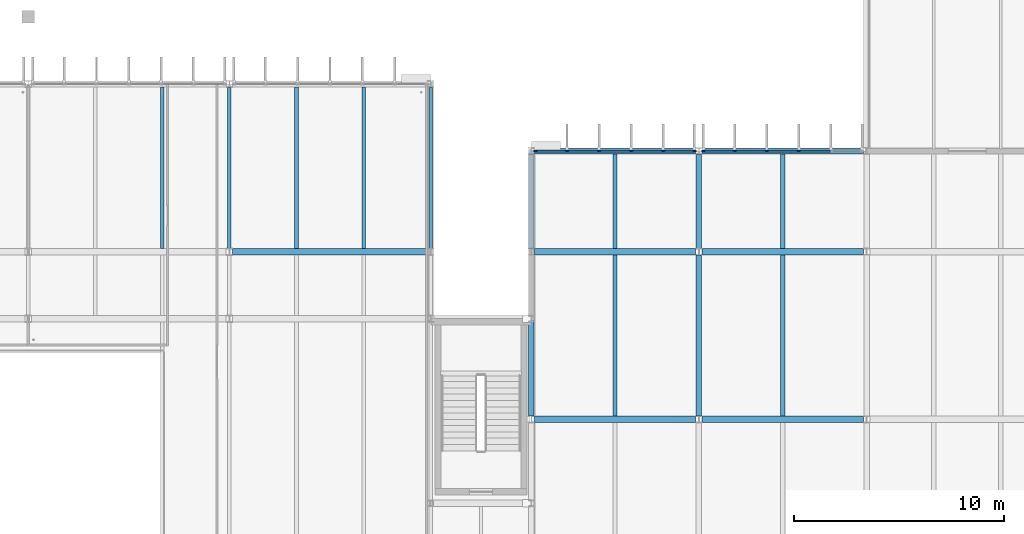
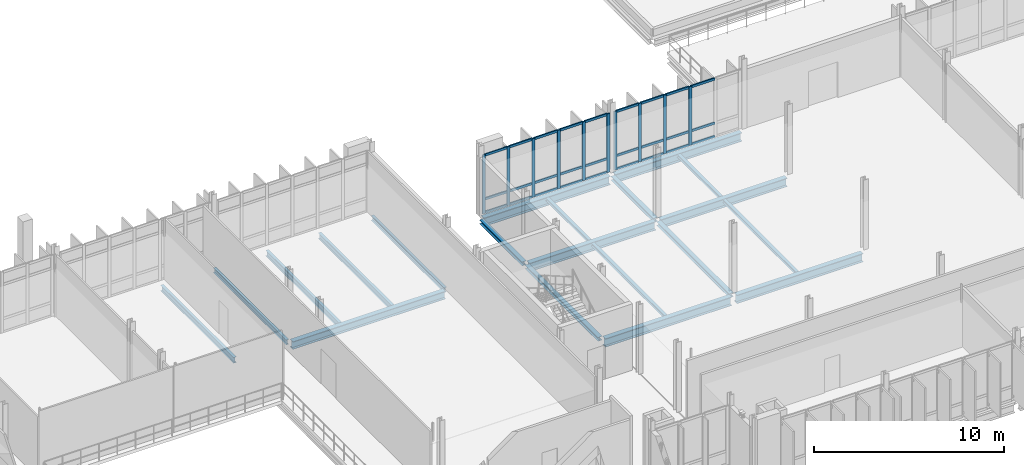
# One storey, part 33 of 110: 37 members, 20 beams, 2 elements without a shape of their own.
"""IFC4 building model written with IfcOpenShell, lengths in metres."""

from ifc_helpers import new_model, si_unit, direction, frame, origin, origin_2d, place, context, subcontext, project, spatial, rectangle, i_section, extrude, material, material_profile, profile_set, type_object, element, aggregate, save


model = new_model("IFC4")

# Units and contexts
model_context = context("Model", 3, precision=1e-05, world=origin(), true_north=direction((0.0, 1.0)))
body_context = subcontext(model_context, "Body", "Model", "MODEL_VIEW")
ifc_project = project(units=[si_unit("LENGTHUNIT", "METRE"), si_unit("AREAUNIT", "SQUARE_METRE"), si_unit("VOLUMEUNIT", "CUBIC_METRE"), si_unit("PLANEANGLEUNIT", "RADIAN"), si_unit("MASSUNIT", "GRAM", prefix="KILO")], contexts=[model_context])

# Site, building, storey
site_placement = place(None, origin())
site = spatial("IfcSite", under=ifc_project, at=site_placement, CompositionType="ELEMENT")
building_placement = place(site_placement, origin())
building = spatial("IfcBuilding", under=site, at=building_placement, Name="Dunescarp Central Library", CompositionType="ELEMENT")
storey_placement = place(building_placement, frame((0.0, 0.0, 9.60009765625)))
storey = spatial("IfcBuildingStorey", under=building, at=storey_placement, Name="L02", CompositionType="ELEMENT", Elevation=9.60009765625)

# Curtain wall, members
ifc_material_1 = material(Name="Marine-grade anodised aluminium 6063-T6", Category="aluminium")
curtain_wall_type = type_object("IfcCurtainWallType", Name="ARC-CW-STICK", PredefinedType="NOTDEFINED", material=ifc_material_1)
curtain_wall_1_placement = place(storey_placement, origin())
curtain_wall_1 = element("IfcCurtainWall", 1, at=curtain_wall_1_placement, inside=storey, type_object=curtain_wall_type, Name="L02 curtain wall CW-V3-094", PredefinedType="NOTDEFINED")
ifc_material_profile_1 = material_profile(ifc_material_1, rectangle(XDim=0.080078125, YDim=0.179931640625, at=origin_2d()), Name="AL 80x180")
ifc_profile_set_1 = profile_set([ifc_material_profile_1], Name="Marine-grade anodised aluminium 6063-T6")
member_type_1 = type_object("IfcMemberType", Name="ARC-CWM-180", PredefinedType="MULLION", material=ifc_profile_set_1)
member_1_placement = place(storey_placement, frame((81.81494140625, 33.60009765625, 0.0), z_axis=(0.0, 0.0, 1.0), x_axis=(0.0, 1.0, 0.0)))
member_1 = element("IfcMember", 2, at=member_1_placement, type_object=member_type_1, Name="CW-V3-094 mullion 1", PredefinedType="MULLION", context=body_context, shape_type="SweptSolid", body=[
    extrude(rectangle(XDim=0.080078125, YDim=0.179931640625, at=origin_2d()), origin(), (0.0, 0.0, 1.0), 3.77490234375),
])
member_2_placement = place(storey_placement, frame((83.304931640625, 33.60009765625, 0.0), z_axis=(0.0, 0.0, 1.0), x_axis=(0.0, 1.0, 0.0)))
member_2 = element("IfcMember", 3, at=member_2_placement, type_object=member_type_1, Name="CW-V3-094 mullion 2", PredefinedType="MULLION", context=body_context, shape_type="SweptSolid", body=[
    extrude(rectangle(XDim=0.080078125, YDim=0.179931640625, at=origin_2d()), origin(), (0.0, 0.0, 1.0), 3.77490234375),
])
member_3_placement = place(storey_placement, frame((84.8349609375, 33.60009765625, 0.0), z_axis=(0.0, 0.0, 1.0), x_axis=(0.0, 1.0, 0.0)))
member_3 = element("IfcMember", 4, at=member_3_placement, type_object=member_type_1, Name="CW-V3-094 mullion 3", PredefinedType="MULLION", context=body_context, shape_type="SweptSolid", body=[
    extrude(rectangle(XDim=0.080078125, YDim=0.179931640625, at=origin_2d()), origin(), (0.0, 0.0, 1.0), 3.77490234375),
])
member_4_placement = place(storey_placement, frame((86.364990234375, 33.60009765625, 0.0), z_axis=(0.0, 0.0, 1.0), x_axis=(0.0, 1.0, 0.0)))
member_4 = element("IfcMember", 5, at=member_4_placement, type_object=member_type_1, Name="CW-V3-094 mullion 4", PredefinedType="MULLION", context=body_context, shape_type="SweptSolid", body=[
    extrude(rectangle(XDim=0.080078125, YDim=0.179931640625, at=origin_2d()), origin(), (0.0, 0.0, 1.0), 3.77490234375),
])
member_5_placement = place(storey_placement, frame((87.89501953125, 33.60009765625, 0.0), z_axis=(0.0, 0.0, 1.0), x_axis=(0.0, 1.0, 0.0)))
member_5 = element("IfcMember", 6, at=member_5_placement, type_object=member_type_1, Name="CW-V3-094 mullion 5", PredefinedType="MULLION", context=body_context, shape_type="SweptSolid", body=[
    extrude(rectangle(XDim=0.080078125, YDim=0.179931640625, at=origin_2d()), origin(), (0.0, 0.0, 1.0), 3.77490234375),
])
member_6_placement = place(storey_placement, frame((89.385009765625, 33.60009765625, 0.0), z_axis=(0.0, 0.0, 1.0), x_axis=(0.0, 1.0, 0.0)))
member_6 = element("IfcMember", 7, at=member_6_placement, type_object=member_type_1, Name="CW-V3-094 mullion 6", PredefinedType="MULLION", context=body_context, shape_type="SweptSolid", body=[
    extrude(rectangle(XDim=0.080078125, YDim=0.179931640625, at=origin_2d()), origin(), (0.0, 0.0, 1.0), 3.77490234375),
])

curtain_wall_2_placement = place(storey_placement, origin())
curtain_wall_2 = element("IfcCurtainWall", 8, at=curtain_wall_2_placement, inside=storey, type_object=curtain_wall_type, Name="L02 curtain wall CW-V3-095", PredefinedType="NOTDEFINED")
member_7_placement = place(storey_placement, frame((89.81494140625, 33.60009765625, 0.0), z_axis=(0.0, 0.0, 1.0), x_axis=(0.0, 1.0, 0.0)))
member_7 = element("IfcMember", 9, at=member_7_placement, type_object=member_type_1, Name="CW-V3-095 mullion 1", PredefinedType="MULLION", context=body_context, shape_type="SweptSolid", body=[
    extrude(rectangle(XDim=0.080078125, YDim=0.179931640625, at=origin_2d()), origin(), (0.0, 0.0, 1.0), 3.77490234375),
])
member_8_placement = place(storey_placement, frame((91.304931640625, 33.60009765625, 0.0), z_axis=(0.0, 0.0, 1.0), x_axis=(0.0, 1.0, 0.0)))
member_8 = element("IfcMember", 10, at=member_8_placement, type_object=member_type_1, Name="CW-V3-095 mullion 2", PredefinedType="MULLION", context=body_context, shape_type="SweptSolid", body=[
    extrude(rectangle(XDim=0.080078125, YDim=0.179931640625, at=origin_2d()), origin(), (0.0, 0.0, 1.0), 3.77490234375),
])
member_9_placement = place(storey_placement, frame((92.8349609375, 33.60009765625, 0.0), z_axis=(0.0, 0.0, 1.0), x_axis=(0.0, 1.0, 0.0)))
member_9 = element("IfcMember", 11, at=member_9_placement, type_object=member_type_1, Name="CW-V3-095 mullion 3", PredefinedType="MULLION", context=body_context, shape_type="SweptSolid", body=[
    extrude(rectangle(XDim=0.080078125, YDim=0.179931640625, at=origin_2d()), origin(), (0.0, 0.0, 1.0), 3.77490234375),
])
member_10_placement = place(storey_placement, frame((94.364990234375, 33.60009765625, 0.0), z_axis=(0.0, 0.0, 1.0), x_axis=(0.0, 1.0, 0.0)))
member_10 = element("IfcMember", 12, at=member_10_placement, type_object=member_type_1, Name="CW-V3-095 mullion 4", PredefinedType="MULLION", context=body_context, shape_type="SweptSolid", body=[
    extrude(rectangle(XDim=0.080078125, YDim=0.179931640625, at=origin_2d()), origin(), (0.0, 0.0, 1.0), 3.77490234375),
])

# Member
ifc_material_profile_2 = material_profile(ifc_material_1, rectangle(XDim=0.080078125, YDim=0.14990234375, at=origin_2d()), Name="AL 80x150")
ifc_profile_set_2 = profile_set([ifc_material_profile_2], Name="Marine-grade anodised aluminium 6063-T6")
member_type_2 = type_object("IfcMemberType", Name="ARC-CWT-150", PredefinedType="USERDEFINED", material=ifc_profile_set_2)
member_11_placement = place(storey_placement, frame((81.85498046875, 33.60009765625, 0.039794921875), z_axis=(1.0, 0.0, 0.0), x_axis=(0.0, 1.0, 0.0)))
member_11 = element("IfcMember", 13, at=member_11_placement, type_object=member_type_2, Name="CW-V3-094 transom 1.1", ObjectType="TRANSOM", PredefinedType="USERDEFINED", context=body_context, shape_type="SweptSolid", body=[
    extrude(rectangle(XDim=0.080078125, YDim=0.14990234375, at=origin_2d()), origin(), (0.0, 0.0, 1.0), 1.409912109375),
])

member_12_placement = place(storey_placement, frame((81.85498046875, 33.60009765625, 0.89990234375), z_axis=(1.0, 0.0, 0.0), x_axis=(0.0, 1.0, 0.0)))
member_12 = element("IfcMember", 14, at=member_12_placement, type_object=member_type_2, Name="CW-V3-094 transom 1.2", ObjectType="TRANSOM", PredefinedType="USERDEFINED", context=body_context, shape_type="SweptSolid", body=[
    extrude(rectangle(XDim=0.080078125, YDim=0.14990234375, at=origin_2d()), origin(), (0.0, 0.0, 1.0), 1.409912109375),
])

member_13_placement = place(storey_placement, frame((81.85498046875, 33.60009765625, 3.73486328125), z_axis=(1.0, 0.0, 0.0), x_axis=(0.0, 1.0, 0.0)))
member_13 = element("IfcMember", 15, at=member_13_placement, type_object=member_type_2, Name="CW-V3-094 transom 1.3", ObjectType="TRANSOM", PredefinedType="USERDEFINED", context=body_context, shape_type="SweptSolid", body=[
    extrude(rectangle(XDim=0.080078125, YDim=0.14990234375, at=origin_2d()), origin(), (0.0, 0.0, 1.0), 1.409912109375),
])

member_14_placement = place(storey_placement, frame((83.344970703125, 33.60009765625, 0.039794921875), z_axis=(1.0, 0.0, 0.0), x_axis=(0.0, 1.0, 0.0)))
member_14 = element("IfcMember", 16, at=member_14_placement, type_object=member_type_2, Name="CW-V3-094 transom 2.1", ObjectType="TRANSOM", PredefinedType="USERDEFINED", context=body_context, shape_type="SweptSolid", body=[
    extrude(rectangle(XDim=0.080078125, YDim=0.14990234375, at=origin_2d()), origin(), (0.0, 0.0, 1.0), 1.449951171875),
])

member_15_placement = place(storey_placement, frame((83.344970703125, 33.60009765625, 0.89990234375), z_axis=(1.0, 0.0, 0.0), x_axis=(0.0, 1.0, 0.0)))
member_15 = element("IfcMember", 17, at=member_15_placement, type_object=member_type_2, Name="CW-V3-094 transom 2.2", ObjectType="TRANSOM", PredefinedType="USERDEFINED", context=body_context, shape_type="SweptSolid", body=[
    extrude(rectangle(XDim=0.080078125, YDim=0.14990234375, at=origin_2d()), origin(), (0.0, 0.0, 1.0), 1.449951171875),
])

member_16_placement = place(storey_placement, frame((83.344970703125, 33.60009765625, 3.73486328125), z_axis=(1.0, 0.0, 0.0), x_axis=(0.0, 1.0, 0.0)))
member_16 = element("IfcMember", 18, at=member_16_placement, type_object=member_type_2, Name="CW-V3-094 transom 2.3", ObjectType="TRANSOM", PredefinedType="USERDEFINED", context=body_context, shape_type="SweptSolid", body=[
    extrude(rectangle(XDim=0.080078125, YDim=0.14990234375, at=origin_2d()), origin(), (0.0, 0.0, 1.0), 1.449951171875),
])

member_17_placement = place(storey_placement, frame((84.875, 33.60009765625, 0.039794921875), z_axis=(1.0, 0.0, 0.0), x_axis=(0.0, 1.0, 0.0)))
member_17 = element("IfcMember", 19, at=member_17_placement, type_object=member_type_2, Name="CW-V3-094 transom 3.1", ObjectType="TRANSOM", PredefinedType="USERDEFINED", context=body_context, shape_type="SweptSolid", body=[
    extrude(rectangle(XDim=0.080078125, YDim=0.14990234375, at=origin_2d()), origin(), (0.0, 0.0, 1.0), 1.449951171875),
])

member_18_placement = place(storey_placement, frame((84.875, 33.60009765625, 0.89990234375), z_axis=(1.0, 0.0, 0.0), x_axis=(0.0, 1.0, 0.0)))
member_18 = element("IfcMember", 20, at=member_18_placement, type_object=member_type_2, Name="CW-V3-094 transom 3.2", ObjectType="TRANSOM", PredefinedType="USERDEFINED", context=body_context, shape_type="SweptSolid", body=[
    extrude(rectangle(XDim=0.080078125, YDim=0.14990234375, at=origin_2d()), origin(), (0.0, 0.0, 1.0), 1.449951171875),
])

member_19_placement = place(storey_placement, frame((84.875, 33.60009765625, 3.73486328125), z_axis=(1.0, 0.0, 0.0), x_axis=(0.0, 1.0, 0.0)))
member_19 = element("IfcMember", 21, at=member_19_placement, type_object=member_type_2, Name="CW-V3-094 transom 3.3", ObjectType="TRANSOM", PredefinedType="USERDEFINED", context=body_context, shape_type="SweptSolid", body=[
    extrude(rectangle(XDim=0.080078125, YDim=0.14990234375, at=origin_2d()), origin(), (0.0, 0.0, 1.0), 1.449951171875),
])

member_20_placement = place(storey_placement, frame((86.405029296875, 33.60009765625, 0.039794921875), z_axis=(1.0, 0.0, 0.0), x_axis=(0.0, 1.0, 0.0)))
member_20 = element("IfcMember", 22, at=member_20_placement, type_object=member_type_2, Name="CW-V3-094 transom 4.1", ObjectType="TRANSOM", PredefinedType="USERDEFINED", context=body_context, shape_type="SweptSolid", body=[
    extrude(rectangle(XDim=0.080078125, YDim=0.14990234375, at=origin_2d()), origin(), (0.0, 0.0, 1.0), 1.449951171875),
])

member_21_placement = place(storey_placement, frame((86.405029296875, 33.60009765625, 0.89990234375), z_axis=(1.0, 0.0, 0.0), x_axis=(0.0, 1.0, 0.0)))
member_21 = element("IfcMember", 23, at=member_21_placement, type_object=member_type_2, Name="CW-V3-094 transom 4.2", ObjectType="TRANSOM", PredefinedType="USERDEFINED", context=body_context, shape_type="SweptSolid", body=[
    extrude(rectangle(XDim=0.080078125, YDim=0.14990234375, at=origin_2d()), origin(), (0.0, 0.0, 1.0), 1.449951171875),
])

member_22_placement = place(storey_placement, frame((86.405029296875, 33.60009765625, 3.73486328125), z_axis=(1.0, 0.0, 0.0), x_axis=(0.0, 1.0, 0.0)))
member_22 = element("IfcMember", 24, at=member_22_placement, type_object=member_type_2, Name="CW-V3-094 transom 4.3", ObjectType="TRANSOM", PredefinedType="USERDEFINED", context=body_context, shape_type="SweptSolid", body=[
    extrude(rectangle(XDim=0.080078125, YDim=0.14990234375, at=origin_2d()), origin(), (0.0, 0.0, 1.0), 1.449951171875),
])

member_23_placement = place(storey_placement, frame((87.93505859375, 33.60009765625, 0.039794921875), z_axis=(1.0, 0.0, 0.0), x_axis=(0.0, 1.0, 0.0)))
member_23 = element("IfcMember", 25, at=member_23_placement, type_object=member_type_2, Name="CW-V3-094 transom 5.1", ObjectType="TRANSOM", PredefinedType="USERDEFINED", context=body_context, shape_type="SweptSolid", body=[
    extrude(rectangle(XDim=0.080078125, YDim=0.14990234375, at=origin_2d()), origin(), (0.0, 0.0, 1.0), 1.409912109375),
])

member_24_placement = place(storey_placement, frame((87.93505859375, 33.60009765625, 0.89990234375), z_axis=(1.0, 0.0, 0.0), x_axis=(0.0, 1.0, 0.0)))
member_24 = element("IfcMember", 26, at=member_24_placement, type_object=member_type_2, Name="CW-V3-094 transom 5.2", ObjectType="TRANSOM", PredefinedType="USERDEFINED", context=body_context, shape_type="SweptSolid", body=[
    extrude(rectangle(XDim=0.080078125, YDim=0.14990234375, at=origin_2d()), origin(), (0.0, 0.0, 1.0), 1.409912109375),
])

member_25_placement = place(storey_placement, frame((87.93505859375, 33.60009765625, 3.73486328125), z_axis=(1.0, 0.0, 0.0), x_axis=(0.0, 1.0, 0.0)))
member_25 = element("IfcMember", 27, at=member_25_placement, type_object=member_type_2, Name="CW-V3-094 transom 5.3", ObjectType="TRANSOM", PredefinedType="USERDEFINED", context=body_context, shape_type="SweptSolid", body=[
    extrude(rectangle(XDim=0.080078125, YDim=0.14990234375, at=origin_2d()), origin(), (0.0, 0.0, 1.0), 1.409912109375),
])

aggregate(curtain_wall_1, [member_1, member_2, member_3, member_4, member_5, member_6, member_11, member_12, member_13, member_14, member_15, member_16, member_17, member_18, member_19, member_20, member_21, member_22, member_23, member_24, member_25])

member_26_placement = place(storey_placement, frame((89.85498046875, 33.60009765625, 0.039794921875), z_axis=(1.0, 0.0, 0.0), x_axis=(0.0, 1.0, 0.0)))
member_26 = element("IfcMember", 28, at=member_26_placement, type_object=member_type_2, Name="CW-V3-095 transom 1.1", ObjectType="TRANSOM", PredefinedType="USERDEFINED", context=body_context, shape_type="SweptSolid", body=[
    extrude(rectangle(XDim=0.080078125, YDim=0.14990234375, at=origin_2d()), origin(), (0.0, 0.0, 1.0), 1.409912109375),
])

member_27_placement = place(storey_placement, frame((89.85498046875, 33.60009765625, 0.89990234375), z_axis=(1.0, 0.0, 0.0), x_axis=(0.0, 1.0, 0.0)))
member_27 = element("IfcMember", 29, at=member_27_placement, type_object=member_type_2, Name="CW-V3-095 transom 1.2", ObjectType="TRANSOM", PredefinedType="USERDEFINED", context=body_context, shape_type="SweptSolid", body=[
    extrude(rectangle(XDim=0.080078125, YDim=0.14990234375, at=origin_2d()), origin(), (0.0, 0.0, 1.0), 1.409912109375),
])

member_28_placement = place(storey_placement, frame((89.85498046875, 33.60009765625, 3.73486328125), z_axis=(1.0, 0.0, 0.0), x_axis=(0.0, 1.0, 0.0)))
member_28 = element("IfcMember", 30, at=member_28_placement, type_object=member_type_2, Name="CW-V3-095 transom 1.3", ObjectType="TRANSOM", PredefinedType="USERDEFINED", context=body_context, shape_type="SweptSolid", body=[
    extrude(rectangle(XDim=0.080078125, YDim=0.14990234375, at=origin_2d()), origin(), (0.0, 0.0, 1.0), 1.409912109375),
])

member_29_placement = place(storey_placement, frame((91.344970703125, 33.60009765625, 0.039794921875), z_axis=(1.0, 0.0, 0.0), x_axis=(0.0, 1.0, 0.0)))
member_29 = element("IfcMember", 31, at=member_29_placement, type_object=member_type_2, Name="CW-V3-095 transom 2.1", ObjectType="TRANSOM", PredefinedType="USERDEFINED", context=body_context, shape_type="SweptSolid", body=[
    extrude(rectangle(XDim=0.080078125, YDim=0.14990234375, at=origin_2d()), origin(), (0.0, 0.0, 1.0), 1.449951171875),
])

member_30_placement = place(storey_placement, frame((91.344970703125, 33.60009765625, 0.89990234375), z_axis=(1.0, 0.0, 0.0), x_axis=(0.0, 1.0, 0.0)))
member_30 = element("IfcMember", 32, at=member_30_placement, type_object=member_type_2, Name="CW-V3-095 transom 2.2", ObjectType="TRANSOM", PredefinedType="USERDEFINED", context=body_context, shape_type="SweptSolid", body=[
    extrude(rectangle(XDim=0.080078125, YDim=0.14990234375, at=origin_2d()), origin(), (0.0, 0.0, 1.0), 1.449951171875),
])

member_31_placement = place(storey_placement, frame((91.344970703125, 33.60009765625, 3.73486328125), z_axis=(1.0, 0.0, 0.0), x_axis=(0.0, 1.0, 0.0)))
member_31 = element("IfcMember", 33, at=member_31_placement, type_object=member_type_2, Name="CW-V3-095 transom 2.3", ObjectType="TRANSOM", PredefinedType="USERDEFINED", context=body_context, shape_type="SweptSolid", body=[
    extrude(rectangle(XDim=0.080078125, YDim=0.14990234375, at=origin_2d()), origin(), (0.0, 0.0, 1.0), 1.449951171875),
])

member_32_placement = place(storey_placement, frame((92.875, 33.60009765625, 0.039794921875), z_axis=(1.0, 0.0, 0.0), x_axis=(0.0, 1.0, 0.0)))
member_32 = element("IfcMember", 34, at=member_32_placement, type_object=member_type_2, Name="CW-V3-095 transom 3.1", ObjectType="TRANSOM", PredefinedType="USERDEFINED", context=body_context, shape_type="SweptSolid", body=[
    extrude(rectangle(XDim=0.080078125, YDim=0.14990234375, at=origin_2d()), origin(), (0.0, 0.0, 1.0), 1.449951171875),
])

member_33_placement = place(storey_placement, frame((92.875, 33.60009765625, 0.89990234375), z_axis=(1.0, 0.0, 0.0), x_axis=(0.0, 1.0, 0.0)))
member_33 = element("IfcMember", 35, at=member_33_placement, type_object=member_type_2, Name="CW-V3-095 transom 3.2", ObjectType="TRANSOM", PredefinedType="USERDEFINED", context=body_context, shape_type="SweptSolid", body=[
    extrude(rectangle(XDim=0.080078125, YDim=0.14990234375, at=origin_2d()), origin(), (0.0, 0.0, 1.0), 1.449951171875),
])

member_34_placement = place(storey_placement, frame((92.875, 33.60009765625, 3.73486328125), z_axis=(1.0, 0.0, 0.0), x_axis=(0.0, 1.0, 0.0)))
member_34 = element("IfcMember", 36, at=member_34_placement, type_object=member_type_2, Name="CW-V3-095 transom 3.3", ObjectType="TRANSOM", PredefinedType="USERDEFINED", context=body_context, shape_type="SweptSolid", body=[
    extrude(rectangle(XDim=0.080078125, YDim=0.14990234375, at=origin_2d()), origin(), (0.0, 0.0, 1.0), 1.449951171875),
])

member_35_placement = place(storey_placement, frame((94.405029296875, 33.60009765625, 0.039794921875), z_axis=(1.0, 0.0, 0.0), x_axis=(0.0, 1.0, 0.0)))
member_35 = element("IfcMember", 37, at=member_35_placement, type_object=member_type_2, Name="CW-V3-095 transom 4.1", ObjectType="TRANSOM", PredefinedType="USERDEFINED", context=body_context, shape_type="SweptSolid", body=[
    extrude(rectangle(XDim=0.080078125, YDim=0.14990234375, at=origin_2d()), origin(), (0.0, 0.0, 1.0), 1.449951171875),
])

member_36_placement = place(storey_placement, frame((94.405029296875, 33.60009765625, 0.89990234375), z_axis=(1.0, 0.0, 0.0), x_axis=(0.0, 1.0, 0.0)))
member_36 = element("IfcMember", 38, at=member_36_placement, type_object=member_type_2, Name="CW-V3-095 transom 4.2", ObjectType="TRANSOM", PredefinedType="USERDEFINED", context=body_context, shape_type="SweptSolid", body=[
    extrude(rectangle(XDim=0.080078125, YDim=0.14990234375, at=origin_2d()), origin(), (0.0, 0.0, 1.0), 1.449951171875),
])

member_37_placement = place(storey_placement, frame((94.405029296875, 33.60009765625, 3.73486328125), z_axis=(1.0, 0.0, 0.0), x_axis=(0.0, 1.0, 0.0)))
member_37 = element("IfcMember", 39, at=member_37_placement, type_object=member_type_2, Name="CW-V3-095 transom 4.3", ObjectType="TRANSOM", PredefinedType="USERDEFINED", context=body_context, shape_type="SweptSolid", body=[
    extrude(rectangle(XDim=0.080078125, YDim=0.14990234375, at=origin_2d()), origin(), (0.0, 0.0, 1.0), 1.449951171875),
])

aggregate(curtain_wall_2, [member_7, member_8, member_9, member_10, member_26, member_27, member_28, member_29, member_30, member_31, member_32, member_33, member_34, member_35, member_36, member_37])

# Beams
ifc_material_2 = material(Name="Steel S355JR", Category="steel")
ifc_material_profile_3 = material_profile(ifc_material_2, i_section(OverallWidth=0.260009765625, OverallDepth=0.25, WebThickness=0.007568359375, FlangeThickness=0.012451171875, at=origin_2d()), Name="HEA 260")
ifc_profile_set_3 = profile_set([ifc_material_profile_3], Name="Steel S355JR")
beam_type_1 = type_object("IfcBeamType", Name="STR-BM-HEA260", PredefinedType="BEAM", material=ifc_profile_set_3)
for number, where, z_axis, x_axis, name in (
    (40, (81.60009765625, 20.95703125, -0.335205078125), (0.0, 1.0, 0.0), (-1.0, 0.0, 0.0), "L02 girder BM-L02-0742"),
    (41, (89.60009765625, 20.95703125, -0.335205078125), (0.0, 1.0, 0.0), (-1.0, 0.0, 0.0), "L02 girder BM-L02-0743"),
):
    element("IfcBeam", number, at=place(storey_placement, frame(where, z_axis=z_axis, x_axis=x_axis)), inside=storey, type_object=beam_type_1, Name=name, PredefinedType="BEAM", context=body_context, shape_type="SweptSolid", body=[
        extrude(i_section(OverallWidth=0.260009765625, OverallDepth=0.25, WebThickness=0.007568359375, FlangeThickness=0.012451171875, at=origin_2d()), origin(), (0.0, 0.0, 1.0), 7.68603515625),
    ])
for number, where, z_axis, x_axis, name in (
    (42, (81.60009765625, 28.95703125, -0.335205078125), (0.0, 1.0, 0.0), (-1.0, 0.0, 0.0), "L02 girder BM-L02-0746"),
    (43, (89.60009765625, 28.95703125, -0.335205078125), (0.0, 1.0, 0.0), (-1.0, 0.0, 0.0), "L02 girder BM-L02-0747"),
):
    element("IfcBeam", number, at=place(storey_placement, frame(where, z_axis=z_axis, x_axis=x_axis)), inside=storey, type_object=beam_type_1, Name=name, PredefinedType="BEAM", context=body_context, shape_type="SweptSolid", body=[
        extrude(i_section(OverallWidth=0.260009765625, OverallDepth=0.25, WebThickness=0.007568359375, FlangeThickness=0.012451171875, at=origin_2d()), origin(), (0.0, 0.0, 1.0), 4.486083984375),
    ])
ifc_material_profile_4 = material_profile(ifc_material_2, i_section(OverallWidth=0.300048828125, OverallDepth=0.5, WebThickness=0.014404296875, FlangeThickness=0.028076171875, at=origin_2d()), Name="HEB 500")
ifc_profile_set_4 = profile_set([ifc_material_profile_4], Name="Steel S355JR")
beam_type_2 = type_object("IfcBeamType", Name="STR-BM-HEB500", PredefinedType="BEAM", material=ifc_profile_set_4)
beam_1_placement = place(storey_placement, frame((67.35302734375, 28.800048828125, -0.460205078125), z_axis=(1.0, 0.0, 0.0), x_axis=(0.0, 1.0, 0.0)))
element("IfcBeam", 44, at=beam_1_placement, inside=storey, type_object=beam_type_2, Name="L02 girder BM-L02-0463", PredefinedType="BEAM", context=body_context, shape_type="SweptSolid", body=[
    extrude(i_section(OverallWidth=0.300048828125, OverallDepth=0.5, WebThickness=0.014404296875, FlangeThickness=0.028076171875, at=origin_2d()), origin(), (0.0, 0.0, 1.0), 9.2939453125),
])
ifc_material_profile_5 = material_profile(ifc_material_2, i_section(OverallWidth=0.300048828125, OverallDepth=0.550048828125, WebThickness=0.014892578125, FlangeThickness=0.029052734375, at=origin_2d()), Name="HEB 550")
ifc_profile_set_5 = profile_set([ifc_material_profile_5], Name="Steel S355JR")
beam_type_3 = type_object("IfcBeamType", Name="STR-BM-HEB550", PredefinedType="BEAM", material=ifc_profile_set_5)
for number, where, z_axis, x_axis, name in (
    (45, (81.751953125, 20.800048828125, -0.485107421875), (1.0, 0.0, 0.0), (0.0, 1.0, 0.0), "L02 girder BM-L02-0737"),
    (46, (81.751953125, 28.800048828125, -0.485107421875), (1.0, 0.0, 0.0), (0.0, 1.0, 0.0), "L02 girder BM-L02-0741"),
    (47, (81.751953125, 33.60009765625, -0.485107421875), (1.0, 0.0, 0.0), (0.0, 1.0, 0.0), "L02 girder BM-L02-0745"),
    (48, (89.751953125, 20.800048828125, -0.485107421875), (1.0, 0.0, 0.0), (0.0, 1.0, 0.0), "L02 girder BM-L02-0753"),
    (49, (89.751953125, 28.800048828125, -0.485107421875), (1.0, 0.0, 0.0), (0.0, 1.0, 0.0), "L02 girder BM-L02-0756"),
    (50, (89.751953125, 33.60009765625, -0.485107421875), (1.0, 0.0, 0.0), (0.0, 1.0, 0.0), "L02 girder BM-L02-0759"),
):
    element("IfcBeam", number, at=place(storey_placement, frame(where, z_axis=z_axis, x_axis=x_axis)), inside=storey, type_object=beam_type_3, Name=name, PredefinedType="BEAM", context=body_context, shape_type="SweptSolid", body=[
        extrude(i_section(OverallWidth=0.300048828125, OverallDepth=0.550048828125, WebThickness=0.014892578125, FlangeThickness=0.029052734375, at=origin_2d()), origin(), (0.0, 0.0, 1.0), 7.696044921875),
    ])
ifc_material_profile_6 = material_profile(ifc_material_2, i_section(OverallWidth=0.1669921875, OverallDepth=0.310302734375, WebThickness=0.0078125, FlangeThickness=0.013671875, at=origin_2d()), Name="UB 305x165x54")
ifc_profile_set_6 = profile_set([ifc_material_profile_6], Name="Steel S355JR")
beam_type_4 = type_object("IfcBeamType", Name="STR-BM-UB305X54", PredefinedType="BEAM", material=ifc_profile_set_6)
for number, where, z_axis, x_axis, name in (
    (51, (67.199951171875, 28.9609375, -0.364990234375), (0.0, 1.0, 0.0), (-1.0, 0.0, 0.0), "L02 girder BM-L02-0451"),
    (52, (76.800048828125, 28.9609375, -0.364990234375), (0.0, 1.0, 0.0), (-1.0, 0.0, 0.0), "L02 girder BM-L02-0468"),
):
    element("IfcBeam", number, at=place(storey_placement, frame(where, z_axis=z_axis, x_axis=x_axis)), inside=storey, type_object=beam_type_4, Name=name, PredefinedType="BEAM", context=body_context, shape_type="SweptSolid", body=[
        extrude(i_section(OverallWidth=0.1669921875, OverallDepth=0.310302734375, WebThickness=0.0078125, FlangeThickness=0.013671875, at=origin_2d()), origin(), (0.0, 0.0, 1.0), 7.68212890625),
    ])
ifc_material_profile_7 = material_profile(ifc_material_2, i_section(OverallWidth=0.199951171875, OverallDepth=0.18994140625, WebThickness=0.006591796875, FlangeThickness=0.010009765625, at=origin_2d()), Name="HEA 200")
ifc_profile_set_7 = profile_set([ifc_material_profile_7], Name="Steel S355JR")
beam_type_5 = type_object("IfcBeamType", Name="STR-JS-HEA200", PredefinedType="JOIST", material=ifc_profile_set_7)
beam_2_placement = place(storey_placement, frame((85.60009765625, 20.947998046875, -0.30517578125), z_axis=(0.0, 1.0, 0.0), x_axis=(-1.0, 0.0, 0.0)))
element("IfcBeam", 53, at=beam_2_placement, inside=storey, type_object=beam_type_5, Name="L02 joist JS-L02-0744", PredefinedType="JOIST", context=body_context, shape_type="SweptSolid", body=[
    extrude(i_section(OverallWidth=0.199951171875, OverallDepth=0.18994140625, WebThickness=0.006591796875, FlangeThickness=0.010009765625, at=origin_2d()), origin(), (0.0, 0.0, 1.0), 7.7041015625),
])
beam_3_placement = place(storey_placement, frame((85.60009765625, 28.947998046875, -0.30517578125), z_axis=(0.0, 1.0, 0.0), x_axis=(-1.0, 0.0, 0.0)))
element("IfcBeam", 54, at=beam_3_placement, inside=storey, type_object=beam_type_5, Name="L02 joist JS-L02-0748", PredefinedType="JOIST", context=body_context, shape_type="SweptSolid", body=[
    extrude(i_section(OverallWidth=0.199951171875, OverallDepth=0.18994140625, WebThickness=0.006591796875, FlangeThickness=0.010009765625, at=origin_2d()), origin(), (0.0, 0.0, 1.0), 4.50390625),
])
beam_4_placement = place(storey_placement, frame((93.60009765625, 20.947998046875, -0.30517578125), z_axis=(0.0, 1.0, 0.0), x_axis=(-1.0, 0.0, 0.0)))
element("IfcBeam", 55, at=beam_4_placement, inside=storey, type_object=beam_type_5, Name="L02 joist JS-L02-0758", PredefinedType="JOIST", context=body_context, shape_type="SweptSolid", body=[
    extrude(i_section(OverallWidth=0.199951171875, OverallDepth=0.18994140625, WebThickness=0.006591796875, FlangeThickness=0.010009765625, at=origin_2d()), origin(), (0.0, 0.0, 1.0), 7.7041015625),
])
beam_5_placement = place(storey_placement, frame((93.60009765625, 28.947998046875, -0.30517578125), z_axis=(0.0, 1.0, 0.0), x_axis=(-1.0, 0.0, 0.0)))
element("IfcBeam", 56, at=beam_5_placement, inside=storey, type_object=beam_type_5, Name="L02 joist JS-L02-0761", PredefinedType="JOIST", context=body_context, shape_type="SweptSolid", body=[
    extrude(i_section(OverallWidth=0.199951171875, OverallDepth=0.18994140625, WebThickness=0.006591796875, FlangeThickness=0.010009765625, at=origin_2d()), origin(), (0.0, 0.0, 1.0), 4.50390625),
])
ifc_material_profile_8 = material_profile(ifc_material_2, i_section(OverallWidth=0.169921875, OverallDepth=0.360107421875, WebThickness=0.008056640625, FlangeThickness=0.0126953125, at=origin_2d()), Name="IPE 360")
ifc_profile_set_8 = profile_set([ifc_material_profile_8], Name="Steel S355JR")
beam_type_6 = type_object("IfcBeamType", Name="STR-JS-IPE360", PredefinedType="JOIST", material=ifc_profile_set_8)
for number, where, z_axis, x_axis, name in (
    (57, (64.0, 28.947998046875, -0.39013671875), (0.0, 1.0, 0.0), (-1.0, 0.0, 0.0), "L02 joist JS-L02-0453"),
    (58, (70.39990234375, 28.947998046875, -0.39013671875), (0.0, 1.0, 0.0), (-1.0, 0.0, 0.0), "L02 joist JS-L02-0469"),
    (59, (73.60009765625, 28.947998046875, -0.39013671875), (0.0, 1.0, 0.0), (-1.0, 0.0, 0.0), "L02 joist JS-L02-0470"),
):
    element("IfcBeam", number, at=place(storey_placement, frame(where, z_axis=z_axis, x_axis=x_axis)), inside=storey, type_object=beam_type_6, Name=name, PredefinedType="JOIST", context=body_context, shape_type="SweptSolid", body=[
        extrude(i_section(OverallWidth=0.169921875, OverallDepth=0.360107421875, WebThickness=0.008056640625, FlangeThickness=0.0126953125, at=origin_2d()), origin(), (0.0, 0.0, 1.0), 7.7041015625),
    ])

save(model, "model.ifc")
